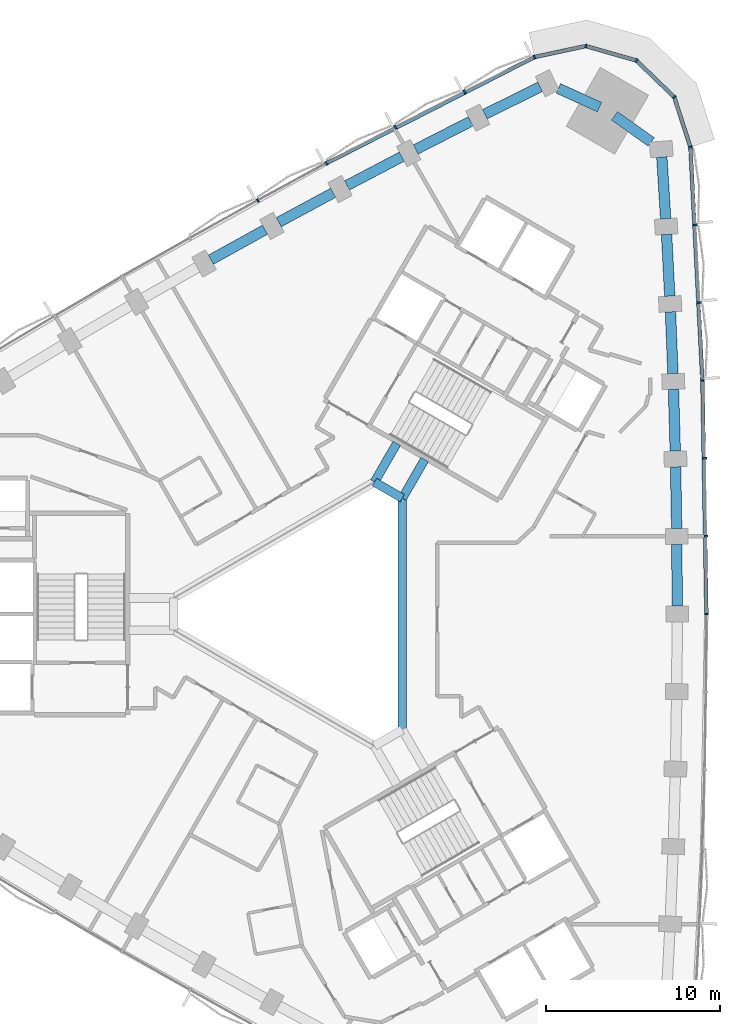
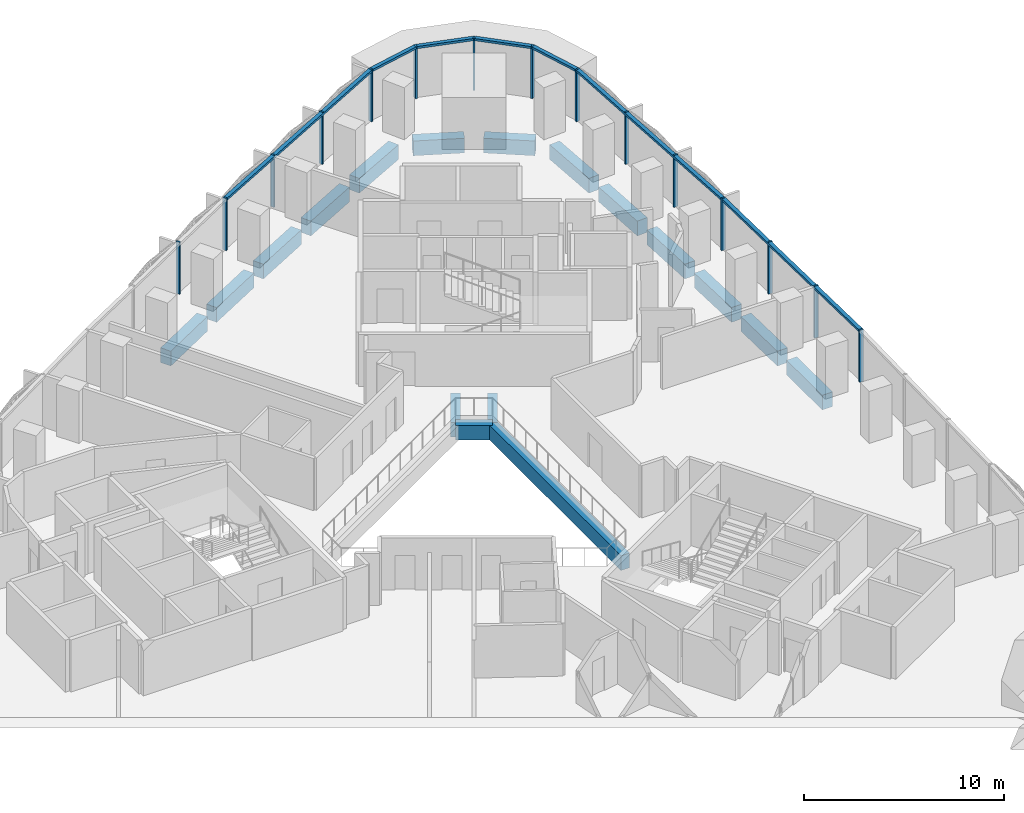
# One storey, part 5 of 15: 22 members, 17 beams, 2 elements without a shape of their own.
"""IFC4 building model written with IfcOpenShell, lengths in metres."""

from ifc_helpers import new_model, si_unit, direction, frame, origin, origin_2d, place, context, subcontext, project, spatial, rectangle, extrude, material, material_profile, profile_set, type_object, element, aggregate, save


model = new_model("IFC4")

# Units and contexts
model_context = context("Model", 3, precision=1e-05, world=origin(), true_north=direction((0.0, 1.0)))
body_context = subcontext(model_context, "Body", "Model", "MODEL_VIEW")
ifc_project = project(units=[si_unit("LENGTHUNIT", "METRE"), si_unit("AREAUNIT", "SQUARE_METRE"), si_unit("VOLUMEUNIT", "CUBIC_METRE"), si_unit("PLANEANGLEUNIT", "RADIAN"), si_unit("MASSUNIT", "GRAM", prefix="KILO")], contexts=[model_context])

# Site, building, storey
site_placement = place(None, origin())
site = spatial("IfcSite", under=ifc_project, at=site_placement, CompositionType="ELEMENT")
building_placement = place(site_placement, origin())
building = spatial("IfcBuilding", under=site, at=building_placement, Name="Tamra Quay Hotel Tower", CompositionType="ELEMENT")
storey_placement = place(building_placement, frame((0.0, 0.0, 86.60009765625)))
storey = spatial("IfcBuildingStorey", under=building, at=storey_placement, Name="L20", CompositionType="ELEMENT", Elevation=86.60009765625)

# Beams
ifc_material_1 = material(Name="Concrete M60", Category="concrete")
ifc_material_profile_1 = material_profile(ifc_material_1, rectangle(XDim=0.5, YDim=0.89990234375, at=origin_2d()), Name="ATRIUM EDGE BEAM RC 500x900")
ifc_profile_set_1 = profile_set([ifc_material_profile_1], Name="Concrete M60")
beam_type_1 = type_object("IfcBeamType", Name="ATRIUM EDGE BEAM RC 500x900", PredefinedType="BEAM", material=ifc_profile_set_1)
beam_1_placement = place(storey_placement, frame((4.89990234375, 6.639404296875, -0.875), z_axis=(0.0, -1.0, 0.0), x_axis=(1.0, 0.0, 0.0)))
element("IfcBeam", 1, at=beam_1_placement, inside=storey, type_object=beam_type_1, Name="BM-AB0-L20", PredefinedType="BEAM", context=body_context, shape_type="SweptSolid", body=[
    extrude(rectangle(XDim=0.5, YDim=0.89990234375, at=origin_2d()), origin(), (0.0, 0.0, 1.0), 13.27880859375),
])
beam_2_placement = place(storey_placement, frame((3.300048828125, 7.563232421875, -0.875), z_axis=(0.865989712182, -0.500061814573, 0.0), x_axis=(0.500061814573, 0.865989712182, 0.0)))
element("IfcBeam", 2, at=beam_2_placement, inside=storey, type_object=beam_type_1, Name="BM-AB5-L20", PredefinedType="BEAM", context=body_context, shape_type="SweptSolid", body=[
    extrude(rectangle(XDim=0.5, YDim=0.89990234375, at=origin_2d()), origin(), (0.0, 0.0, 1.0), 1.847412109375),
])
ifc_material_profile_2 = material_profile(ifc_material_1, rectangle(XDim=0.5, YDim=0.89990234375, at=origin_2d()), Name="ATRIUM TIE BEAM RC 500x900")
ifc_profile_set_2 = profile_set([ifc_material_profile_2], Name="Concrete M60")
beam_type_2 = type_object("IfcBeamType", Name="ATRIUM TIE BEAM RC 500x900", PredefinedType="BEAM", material=ifc_profile_set_2)
for number, where, z_axis, x_axis, name in (
    (3, (4.89990234375, 6.639404296875, -0.875), (0.50003311468, 0.866006284171, 0.0), (-0.866006284171, 0.50003311468, 0.0), "BM-TIE-0-L20"),
    (4, (3.300048828125, 7.563232421875, -0.875), (0.499961652204, 0.866047542763, 0.0), (-0.866047542763, 0.499961652204, 0.0), "BM-TIE-5-L20"),
):
    element("IfcBeam", number, at=place(storey_placement, frame(where, z_axis=z_axis, x_axis=x_axis)), inside=storey, type_object=beam_type_2, Name=name, PredefinedType="BEAM", context=body_context, shape_type="SweptSolid", body=[
        extrude(rectangle(XDim=0.5, YDim=0.89990234375, at=origin_2d()), origin(), (0.0, 0.0, 1.0), 2.562255859375),
    ])

# Curtain wall, members
ifc_material_2 = material(Name="Aluminium 6063 anodised dark grey", Category="aluminium")
curtain_wall_type_1 = type_object("IfcCurtainWallType", Name="CW1 CURTAIN WALL", PredefinedType="NOTDEFINED", material=ifc_material_2)
curtain_wall_1_placement = place(storey_placement, origin())
curtain_wall_1 = element("IfcCurtainWall", 5, at=curtain_wall_1_placement, inside=storey, type_object=curtain_wall_type_1, Name="CW1 east face L20", PredefinedType="NOTDEFINED")
ifc_material_profile_3 = material_profile(ifc_material_2, rectangle(XDim=0.219970703125, YDim=0.10009765625, at=origin_2d()), Name="MULLION 100X220")
ifc_profile_set_3 = profile_set([ifc_material_profile_3], Name="Aluminium 6063 anodised dark grey")
member_type_1 = type_object("IfcMemberType", Name="MULLION CW1 Z2", PredefinedType="MULLION", material=ifc_profile_set_3)
member_1_placement = place(storey_placement, frame((22.3330078125, 0.0, 0.0), z_axis=(0.0, 0.0, 1.0), x_axis=(1.0, 0.0, 0.0)))
member_1 = element("IfcMember", 6, at=member_1_placement, type_object=member_type_1, Name="CW1 mullion L20.E.7", PredefinedType="MULLION", context=body_context, shape_type="SweptSolid", body=[
    extrude(rectangle(XDim=0.219970703125, YDim=0.10009765625, at=origin_2d()), origin(), (0.0, 0.0, 1.0), 3.1748046875),
])
member_2_placement = place(storey_placement, frame((22.307373046875, 4.4638671875, 0.0), z_axis=(0.0, 0.0, 1.0), x_axis=(0.999934749978, 0.011423475244, 0.0)))
member_2 = element("IfcMember", 7, at=member_2_placement, type_object=member_type_1, Name="CW1 mullion L20.E.8", PredefinedType="MULLION", context=body_context, shape_type="SweptSolid", body=[
    extrude(rectangle(XDim=0.219970703125, YDim=0.10009765625, at=origin_2d()), origin(), (0.0, 0.0, 1.0), 3.1748046875),
])
member_3_placement = place(storey_placement, frame((22.23095703125, 8.92724609375, 0.0), z_axis=(0.0, 0.0, 1.0), x_axis=(0.99973912308, 0.022840441834, 0.0)))
member_3 = element("IfcMember", 8, at=member_3_placement, type_object=member_type_1, Name="CW1 mullion L20.E.9", PredefinedType="MULLION", context=body_context, shape_type="SweptSolid", body=[
    extrude(rectangle(XDim=0.219970703125, YDim=0.10009765625, at=origin_2d()), origin(), (0.0, 0.0, 1.0), 3.1748046875),
])
member_4_placement = place(storey_placement, frame((22.103515625, 13.389404296875, 0.0), z_axis=(0.0, 0.0, 1.0), x_axis=(0.999413449002, 0.034245553786, 0.0)))
member_4 = element("IfcMember", 9, at=member_4_placement, type_object=member_type_1, Name="CW1 mullion L20.E.10", PredefinedType="MULLION", context=body_context, shape_type="SweptSolid", body=[
    extrude(rectangle(XDim=0.219970703125, YDim=0.10009765625, at=origin_2d()), origin(), (0.0, 0.0, 1.0), 3.1748046875),
])
member_5_placement = place(storey_placement, frame((21.92529296875, 17.849853515625, 0.0), z_axis=(0.0, 0.0, 1.0), x_axis=(0.99895827695, 0.045632892877, 0.0)))
member_5 = element("IfcMember", 10, at=member_5_placement, type_object=member_type_1, Name="CW1 mullion L20.E.11", PredefinedType="MULLION", context=body_context, shape_type="SweptSolid", body=[
    extrude(rectangle(XDim=0.219970703125, YDim=0.10009765625, at=origin_2d()), origin(), (0.0, 0.0, 1.0), 3.1748046875),
])
member_6_placement = place(storey_placement, frame((21.696044921875, 22.307861328125, 0.0), z_axis=(0.0, 0.0, 1.0), x_axis=(0.998374392499, 0.056996249012, 0.0)))
member_6 = element("IfcMember", 11, at=member_6_placement, type_object=member_type_1, Name="CW1 mullion L20.E.12", PredefinedType="MULLION", context=body_context, shape_type="SweptSolid", body=[
    extrude(rectangle(XDim=0.219970703125, YDim=0.10009765625, at=origin_2d()), origin(), (0.0, 0.0, 1.0), 3.1748046875),
])
member_7_placement = place(storey_placement, frame((21.41650390625, 26.762451171875, 0.0), z_axis=(0.0, 0.0, 1.0), x_axis=(0.982419074219, 0.18668894614, 0.0)))
member_7 = element("IfcMember", 12, at=member_7_placement, type_object=member_type_1, Name="CW1 mullion L20.E.13", PredefinedType="MULLION", context=body_context, shape_type="SweptSolid", body=[
    extrude(rectangle(XDim=0.219970703125, YDim=0.10009765625, at=origin_2d()), origin(), (0.0, 0.0, 1.0), 3.1748046875),
])
member_8_placement = place(storey_placement, frame((20.488037109375, 29.6328125, 0.0), z_axis=(0.0, 0.0, 1.0), x_axis=(0.848503146373, 0.529190334941, 0.0)))
member_8 = element("IfcMember", 13, at=member_8_placement, type_object=member_type_1, Name="CW1 mullion L20.E.14", PredefinedType="MULLION", context=body_context, shape_type="SweptSolid", body=[
    extrude(rectangle(XDim=0.219970703125, YDim=0.10009765625, at=origin_2d()), origin(), (0.0, 0.0, 1.0), 3.1748046875),
])
member_9_placement = place(storey_placement, frame((18.31884765625, 31.729248046875, 0.0), z_axis=(0.0, 0.0, 1.0), x_axis=(0.5, 0.866025403784, 0.0)))
member_9 = element("IfcMember", 14, at=member_9_placement, type_object=member_type_1, Name="CW1 mullion L20.E.15", PredefinedType="MULLION", context=body_context, shape_type="SweptSolid", body=[
    extrude(rectangle(XDim=0.219970703125, YDim=0.10009765625, at=origin_2d()), origin(), (0.0, 0.0, 1.0), 3.1748046875),
])
member_10_placement = place(storey_placement, frame((15.418701171875, 32.559326171875, 0.0), z_axis=(0.0, 0.0, 1.0), x_axis=(0.03404070031, 0.999420447421, 0.0)))
member_10 = element("IfcMember", 15, at=member_10_placement, type_object=member_type_1, Name="CW1 mullion L20.E.16", PredefinedType="MULLION", context=body_context, shape_type="SweptSolid", body=[
    extrude(rectangle(XDim=0.219970703125, YDim=0.10009765625, at=origin_2d()), origin(), (0.0, 0.0, 1.0), 3.1748046875),
])

curtain_wall_type_2 = type_object("IfcCurtainWallType", Name="CW2 CURTAIN WALL", PredefinedType="NOTDEFINED", material=ifc_material_2)
curtain_wall_2_placement = place(storey_placement, origin())
curtain_wall_2 = element("IfcCurtainWall", 16, at=curtain_wall_2_placement, inside=storey, type_object=curtain_wall_type_2, Name="CW2 north-west face L20", PredefinedType="NOTDEFINED")
ifc_material_profile_4 = material_profile(ifc_material_2, rectangle(XDim=0.219970703125, YDim=0.10009765625, at=origin_2d()), Name="MULLION 100X220")
ifc_profile_set_4 = profile_set([ifc_material_profile_4], Name="Aluminium 6063 anodised dark grey")
member_type_2 = type_object("IfcMemberType", Name="MULLION CW2 Z2", PredefinedType="MULLION", material=ifc_profile_set_4)
member_11_placement = place(storey_placement, frame((12.46875, 31.928466796875, 0.0), z_axis=(0.0, 0.0, 1.0), x_axis=(-0.329532167147, 0.944144348506, 0.0)))
member_11 = element("IfcMember", 17, at=member_11_placement, type_object=member_type_2, Name="CW2 mullion L20.NW.1", PredefinedType="MULLION", context=body_context, shape_type="SweptSolid", body=[
    extrude(rectangle(XDim=0.219970703125, YDim=0.10009765625, at=origin_2d()), origin(), (0.0, 0.0, 1.0), 3.1748046875),
])
member_12_placement = place(storey_placement, frame((8.470947265625, 29.943359375, 0.0), z_axis=(0.0, 0.0, 1.0), x_axis=(-0.449826996685, 0.893115710899, 0.0)))
member_12 = element("IfcMember", 18, at=member_12_placement, type_object=member_type_2, Name="CW2 mullion L20.NW.2", PredefinedType="MULLION", context=body_context, shape_type="SweptSolid", body=[
    extrude(rectangle(XDim=0.219970703125, YDim=0.10009765625, at=origin_2d()), origin(), (0.0, 0.0, 1.0), 3.1748046875),
])
member_13_placement = place(storey_placement, frame((4.49560546875, 27.91259765625, 0.0), z_axis=(0.0, 0.0, 1.0), x_axis=(-0.459959893996, 0.887939691598, 0.0)))
member_13 = element("IfcMember", 19, at=member_13_placement, type_object=member_type_2, Name="CW2 mullion L20.NW.3", PredefinedType="MULLION", context=body_context, shape_type="SweptSolid", body=[
    extrude(rectangle(XDim=0.219970703125, YDim=0.10009765625, at=origin_2d()), origin(), (0.0, 0.0, 1.0), 3.1748046875),
])
member_14_placement = place(storey_placement, frame((0.543701171875, 25.8369140625, 0.0), z_axis=(0.0, 0.0, 1.0), x_axis=(-0.470049204955, 0.882640212613, 0.0)))
member_14 = element("IfcMember", 20, at=member_14_placement, type_object=member_type_2, Name="CW2 mullion L20.NW.4", PredefinedType="MULLION", context=body_context, shape_type="SweptSolid", body=[
    extrude(rectangle(XDim=0.219970703125, YDim=0.10009765625, at=origin_2d()), origin(), (0.0, 0.0, 1.0), 3.1748046875),
])
member_15_placement = place(storey_placement, frame((-3.38427734375, 23.71630859375, 0.0), z_axis=(0.0, 0.0, 1.0), x_axis=(-0.480089158678, 0.877219698662, 0.0)))
member_15 = element("IfcMember", 21, at=member_15_placement, type_object=member_type_2, Name="CW2 mullion L20.NW.5", PredefinedType="MULLION", context=body_context, shape_type="SweptSolid", body=[
    extrude(rectangle(XDim=0.219970703125, YDim=0.10009765625, at=origin_2d()), origin(), (0.0, 0.0, 1.0), 3.1748046875),
])

# Beams
ifc_material_profile_5 = material_profile(ifc_material_1, rectangle(XDim=0.60009765625, YDim=0.89990234375, at=origin_2d()), Name="SPANDREL BEAM RC 600x900")
ifc_profile_set_5 = profile_set([ifc_material_profile_5], Name="Concrete M60")
beam_type_3 = type_object("IfcBeamType", Name="SPANDREL BEAM RC 600x900", PredefinedType="SPANDREL", material=ifc_profile_set_5)
beam_3_placement = place(storey_placement, frame((20.656494140625, 0.449951171875, -0.875), z_axis=(-0.005716160055, 0.999983662624, 0.0), x_axis=(-0.999983662624, -0.005716160055, 0.0)))
element("IfcBeam", 22, at=beam_3_placement, inside=storey, type_object=beam_type_3, Name="BM-SP2-006-L20", PredefinedType="SPANDREL", context=body_context, shape_type="SweptSolid", body=[
    extrude(rectangle(XDim=0.60009765625, YDim=0.89990234375, at=origin_2d()), origin(), (0.0, 0.0, 1.0), 3.544921875),
])
beam_4_placement = place(storey_placement, frame((20.6259765625, 4.894775390625, -0.875), z_axis=(-0.017149781635, 0.99985293168, 0.0), x_axis=(-0.99985293168, -0.017149781635, 0.0)))
element("IfcBeam", 23, at=beam_4_placement, inside=storey, type_object=beam_type_3, Name="BM-SP2-007-L20", PredefinedType="SPANDREL", context=body_context, shape_type="SweptSolid", body=[
    extrude(rectangle(XDim=0.60009765625, YDim=0.89990234375, at=origin_2d()), origin(), (0.0, 0.0, 1.0), 3.544677734375),
])
for number, where, z_axis, x_axis, name in (
    (24, (20.544677734375, 9.338623046875, -0.875), (-0.02858140136, 0.999591468299, 0.0), (-0.999591468299, -0.02858140136, 0.0), "BM-SP2-008-L20"),
    (25, (20.41259765625, 13.781494140625, -0.875), (-0.039946034354, 0.999201838639, 0.0), (-0.999201838639, -0.039946034354, 0.0), "BM-SP2-009-L20"),
):
    element("IfcBeam", number, at=place(storey_placement, frame(where, z_axis=z_axis, x_axis=x_axis)), inside=storey, type_object=beam_type_3, Name=name, PredefinedType="SPANDREL", context=body_context, shape_type="SweptSolid", body=[
        extrude(rectangle(XDim=0.60009765625, YDim=0.89990234375, at=origin_2d()), origin(), (0.0, 0.0, 1.0), 3.544921875),
    ])
beam_5_placement = place(storey_placement, frame((20.22998046875, 18.22265625, -0.875), z_axis=(-0.051311627905, 0.998682690769, 0.0), x_axis=(-0.998682690769, -0.051311627905, 0.0)))
element("IfcBeam", 26, at=beam_5_placement, inside=storey, type_object=beam_type_3, Name="BM-SP2-010-L20", PredefinedType="SPANDREL", context=body_context, shape_type="SweptSolid", body=[
    extrude(rectangle(XDim=0.60009765625, YDim=0.89990234375, at=origin_2d()), origin(), (0.0, 0.0, 1.0), 3.544677734375),
])
beam_6_placement = place(storey_placement, frame((19.99658203125, 22.661376953125, -0.875), z_axis=(-0.062669833409, 0.99803431403, 0.0), x_axis=(-0.99803431403, -0.062669833409, 0.0)))
element("IfcBeam", 27, at=beam_6_placement, inside=storey, type_object=beam_type_3, Name="BM-SP2-011-L20", PredefinedType="SPANDREL", context=body_context, shape_type="SweptSolid", body=[
    extrude(rectangle(XDim=0.60009765625, YDim=0.89990234375, at=origin_2d()), origin(), (0.0, 0.0, 1.0), 3.545166015625),
])
for number, where, z_axis, x_axis, name in (
    (28, (19.168701171875, 27.060302734375, -0.875), (-0.814339289036, 0.580389112865, 0.0), (-0.580389112865, -0.814339289036, 0.0), "BM-SP2-012-L20"),
    (29, (16.202392578125, 29.057861328125, -0.875), (-0.909819048293, 0.415005179923, 0.0), (-0.415005179923, -0.909819048293, 0.0), "BM-SP2-013-L20"),
):
    element("IfcBeam", number, at=place(storey_placement, frame(where, z_axis=z_axis, x_axis=x_axis)), inside=storey, type_object=beam_type_3, Name=name, PredefinedType="SPANDREL", context=body_context, shape_type="SweptSolid", body=[
        extrude(rectangle(XDim=0.60009765625, YDim=0.89990234375, at=origin_2d()), origin(), (0.0, 0.0, 1.0), 2.5849609375),
    ])
beam_7_placement = place(storey_placement, frame((12.802001953125, 30.22509765625, -0.875), z_axis=(-0.895622275285, -0.444815399928, 0.0), x_axis=(0.444815399928, -0.895622275285, 0.0)))
element("IfcBeam", 30, at=beam_7_placement, inside=storey, type_object=beam_type_3, Name="BM-SP2-014-L20", PredefinedType="SPANDREL", context=body_context, shape_type="SweptSolid", body=[
    extrude(rectangle(XDim=0.60009765625, YDim=0.89990234375, at=origin_2d()), origin(), (0.0, 0.0, 1.0), 3.545166015625),
])
beam_8_placement = place(storey_placement, frame((8.8232421875, 28.243408203125, -0.875), z_axis=(-0.890551251107, -0.45488291807, 0.0), x_axis=(0.45488291807, -0.890551251107, 0.0)))
element("IfcBeam", 31, at=beam_8_placement, inside=storey, type_object=beam_type_3, Name="BM-SP2-015-L20", PredefinedType="SPANDREL", context=body_context, shape_type="SweptSolid", body=[
    extrude(rectangle(XDim=0.60009765625, YDim=0.89990234375, at=origin_2d()), origin(), (0.0, 0.0, 1.0), 3.544921875),
])
beam_9_placement = place(storey_placement, frame((4.8671875, 26.216796875, -0.875), z_axis=(-0.885322773021, -0.464976975312, 0.0), x_axis=(0.464976975312, -0.885322773021, 0.0)))
element("IfcBeam", 32, at=beam_9_placement, inside=storey, type_object=beam_type_3, Name="BM-SP2-016-L20", PredefinedType="SPANDREL", context=body_context, shape_type="SweptSolid", body=[
    extrude(rectangle(XDim=0.60009765625, YDim=0.89990234375, at=origin_2d()), origin(), (0.0, 0.0, 1.0), 3.544677734375),
])
for number, where, z_axis, x_axis, name in (
    (33, (0.9345703125, 24.1455078125, -0.875), (-0.879950887438, -0.475064664753, 0.0), (0.475064664753, -0.879950887438, 0.0), "BM-SP2-017-L20"),
    (34, (-2.97412109375, 22.029296875, -0.875), (-0.874475461638, -0.48506975477, 0.0), (0.48506975477, -0.874475461638, 0.0), "BM-SP2-018-L20"),
):
    element("IfcBeam", number, at=place(storey_placement, frame(where, z_axis=z_axis, x_axis=x_axis)), inside=storey, type_object=beam_type_3, Name=name, PredefinedType="SPANDREL", context=body_context, shape_type="SweptSolid", body=[
        extrude(rectangle(XDim=0.60009765625, YDim=0.89990234375, at=origin_2d()), origin(), (0.0, 0.0, 1.0), 3.544921875),
    ])

# Member
ifc_material_profile_6 = material_profile(ifc_material_2, rectangle(XDim=0.219970703125, YDim=0.139892578125, at=origin_2d()), Name="TRANSOM 220X140")
ifc_profile_set_6 = profile_set([ifc_material_profile_6], Name="Aluminium 6063 anodised dark grey")
member_type_3 = type_object("IfcMemberType", Name="TRANSOM CW1 Z2", PredefinedType="USERDEFINED", material=ifc_profile_set_6)
member_16_placement = place(storey_placement, frame((22.332763671875, 0.050048828125, 3.10498046875), z_axis=(-0.017137820377, 0.999853136772, 0.0), x_axis=(-0.999853136772, -0.017137820377, 0.0)))
member_16 = element("IfcMember", 35, at=member_16_placement, type_object=member_type_3, Name="CW1 transom L20.E.7", ObjectType="TRANSOM", PredefinedType="USERDEFINED", context=body_context, shape_type="SweptSolid", body=[
    extrude(rectangle(XDim=0.219970703125, YDim=0.139892578125, at=origin_2d()), origin(), (0.0, 0.0, 1.0), 13.291259765625),
])

member_17_placement = place(storey_placement, frame((22.1015625, 13.439208984375, 3.10498046875), z_axis=(-0.051322797132, 0.998682116839, 0.0), x_axis=(-0.998682116839, -0.051322797132, 0.0)))
member_17 = element("IfcMember", 36, at=member_17_placement, type_object=member_type_3, Name="CW1 transom L20.E.10", ObjectType="TRANSOM", PredefinedType="USERDEFINED", context=body_context, shape_type="SweptSolid", body=[
    extrude(rectangle(XDim=0.219970703125, YDim=0.139892578125, at=origin_2d()), origin(), (0.0, 0.0, 1.0), 13.291015625),
])

member_18_placement = place(storey_placement, frame((21.401123046875, 26.81005859375, 3.10498046875), z_axis=(-0.307777941734, 0.95145821694, 0.0), x_axis=(-0.95145821694, -0.307777941734, 0.0)))
member_18 = element("IfcMember", 37, at=member_18_placement, type_object=member_type_3, Name="CW1 transom L20.E.13", ObjectType="TRANSOM", PredefinedType="USERDEFINED", context=body_context, shape_type="SweptSolid", body=[
    extrude(rectangle(XDim=0.219970703125, YDim=0.139892578125, at=origin_2d()), origin(), (0.0, 0.0, 1.0), 2.916748046875),
])

member_19_placement = place(storey_placement, frame((20.451904296875, 29.66748046875, 3.10498046875), z_axis=(-0.719058089649, 0.694949972092, 0.0), x_axis=(-0.694949972092, -0.719058089649, 0.0)))
member_19 = element("IfcMember", 38, at=member_19_placement, type_object=member_type_3, Name="CW1 transom L20.E.14", ObjectType="TRANSOM", PredefinedType="USERDEFINED", context=body_context, shape_type="SweptSolid", body=[
    extrude(rectangle(XDim=0.219970703125, YDim=0.139892578125, at=origin_2d()), origin(), (0.0, 0.0, 1.0), 2.91650390625),
])

member_20_placement = place(storey_placement, frame((18.270751953125, 31.742919921875, 3.10498046875), z_axis=(-0.961378509885, 0.275229650893, 0.0), x_axis=(-0.275229650893, -0.961378509885, 0.0)))
member_20 = element("IfcMember", 39, at=member_20_placement, type_object=member_type_3, Name="CW1 transom L20.E.15", ObjectType="TRANSOM", PredefinedType="USERDEFINED", context=body_context, shape_type="SweptSolid", body=[
    extrude(rectangle(XDim=0.219970703125, YDim=0.139892578125, at=origin_2d()), origin(), (0.0, 0.0, 1.0), 2.91650390625),
])

member_21_placement = place(storey_placement, frame((15.369873046875, 32.549072265625, 3.10498046875), z_axis=(-0.97787585355, -0.209186077557, 0.0), x_axis=(0.209186077557, -0.97787585355, 0.0)))
member_21 = element("IfcMember", 40, at=member_21_placement, type_object=member_type_3, Name="CW1 transom L20.E.16", ObjectType="TRANSOM", PredefinedType="USERDEFINED", context=body_context, shape_type="SweptSolid", body=[
    extrude(rectangle(XDim=0.219970703125, YDim=0.139892578125, at=origin_2d()), origin(), (0.0, 0.0, 1.0), 2.91650390625),
])

aggregate(curtain_wall_1, [member_1, member_16, member_2, member_3, member_4, member_17, member_5, member_6, member_7, member_18, member_8, member_19, member_9, member_20, member_10, member_21])

ifc_material_profile_7 = material_profile(ifc_material_2, rectangle(XDim=0.219970703125, YDim=0.139892578125, at=origin_2d()), Name="TRANSOM 220X140")
ifc_profile_set_7 = profile_set([ifc_material_profile_7], Name="Aluminium 6063 anodised dark grey")
member_type_4 = type_object("IfcMemberType", Name="TRANSOM CW2 Z2", PredefinedType="USERDEFINED", material=ifc_profile_set_7)
member_22_placement = place(storey_placement, frame((12.424072265625, 31.90625, 3.10498046875), z_axis=(-0.89053639512, -0.454912001344, 0.0), x_axis=(0.454912001344, -0.89053639512, 0.0)))
member_22 = element("IfcMember", 41, at=member_22_placement, type_object=member_type_4, Name="CW2 transom L20.NW.1", ObjectType="TRANSOM", PredefinedType="USERDEFINED", context=body_context, shape_type="SweptSolid", body=[
    extrude(rectangle(XDim=0.219970703125, YDim=0.139892578125, at=origin_2d()), origin(), (0.0, 0.0, 1.0), 13.290771484375),
])

aggregate(curtain_wall_2, [member_11, member_22, member_12, member_13, member_14, member_15])

save(model, "model.ifc")
